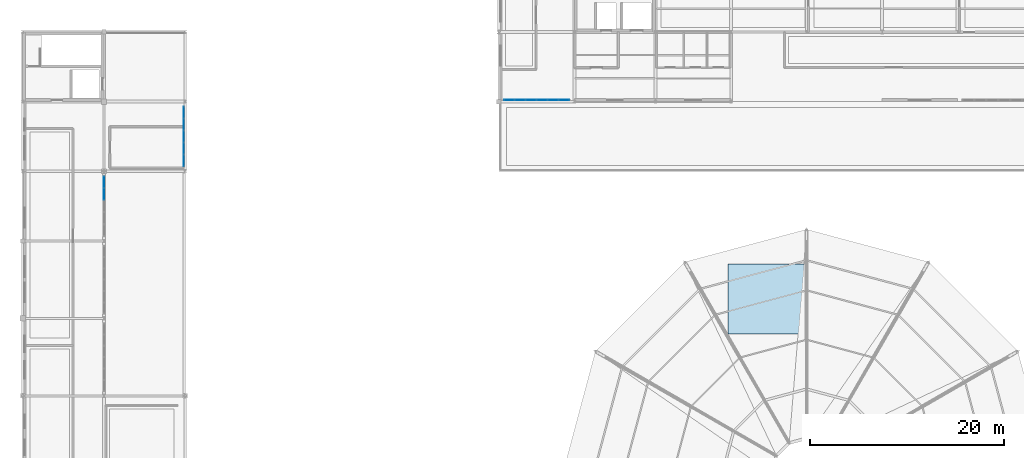
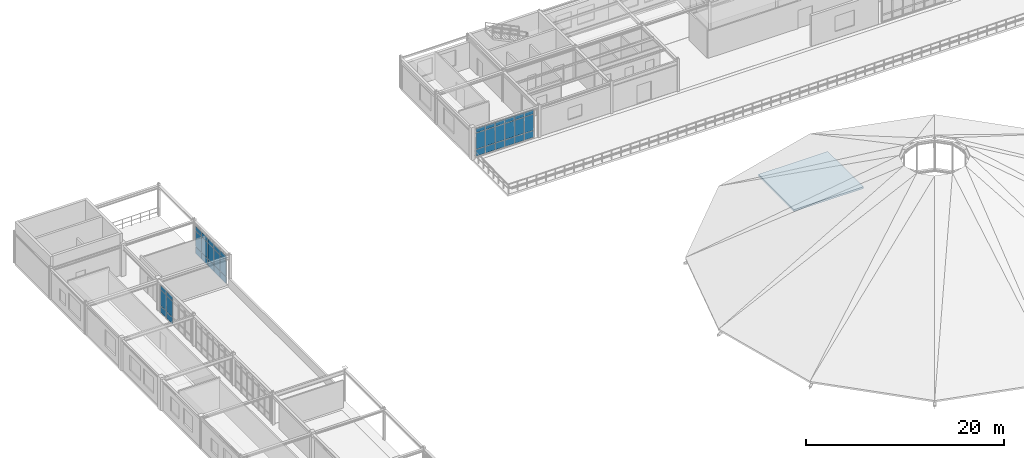
# One storey, part 33 of 58: 39 plates, 1 slab, 3 elements without a shape of their own.
"""IFC4 building model written with IfcOpenShell, lengths in metres."""

from ifc_helpers import new_model, si_unit, derived_unit, direction, frame, origin, origin_2d, place, context, subcontext, project, spatial, polyline, rectangle, outline, extrude, material, layer, layer_set, type_object, element, aggregate, save


model = new_model("IFC4")

# Units and contexts
model_context = context("Model", 3, precision=1e-05, world=origin(), true_north=direction((0.0, 1.0)))
body_context = subcontext(model_context, "Body", "Model", "MODEL_VIEW")
ifc_project = project(units=[si_unit("LENGTHUNIT", "METRE"), si_unit("AREAUNIT", "SQUARE_METRE"), si_unit("VOLUMEUNIT", "CUBIC_METRE"), si_unit("PLANEANGLEUNIT", "RADIAN"), si_unit("MASSUNIT", "GRAM", prefix="KILO"), derived_unit("THERMALTRANSMITTANCEUNIT", [(si_unit("POWERUNIT", "WATT"), 1), (si_unit("AREAUNIT", "SQUARE_METRE"), -1), (si_unit("THERMODYNAMICTEMPERATUREUNIT", "KELVIN"), -1)])], contexts=[model_context])

# Site, building, storey
site_placement = place(None, origin())
site = spatial("IfcSite", under=ifc_project, at=site_placement, CompositionType="ELEMENT")
building_placement = place(site_placement, origin())
building = spatial("IfcBuilding", under=site, at=building_placement, Name="Yasenodar Specialist Clinic", CompositionType="ELEMENT")
storey_placement = place(building_placement, frame((0.0, 0.0, 21.300048828125)))
storey = spatial("IfcBuildingStorey", under=building, at=storey_placement, Name="L05", CompositionType="ELEMENT", Elevation=21.300048828125)

# Curtain wall, plates
ifc_material_1 = material(Name="Bronze Anodized Aluminium and Triple Low-E Glass", Category="aluminium")
ifc_layer_1 = layer(ifc_material_1, 0.202880859375)
ifc_layer_set_1 = layer_set([ifc_layer_1], Name="Bronze Anodized Aluminium and Triple Low-E Glass")
curtain_wall_type_1 = type_object("IfcCurtainWallType", Name="CW-SYS-04", PredefinedType="USERDEFINED", material=ifc_layer_set_1)
curtain_wall_1_placement = place(storey_placement, origin())
curtain_wall_1 = element("IfcCurtainWall", 1, at=curtain_wall_1_placement, inside=storey, type_object=curtain_wall_type_1, Name="L05 Unitised Curtain Wall 141", ObjectType="UNITISED CURTAIN WALL", PredefinedType="USERDEFINED")
ifc_material_2 = material(Name="Triple Low-E Argon Glazing", Category="glass")
ifc_layer_2 = layer(ifc_material_2, 0.033935546875)
ifc_layer_set_2 = layer_set([ifc_layer_2], Name="Triple Low-E Argon Glazing")
plate_type_1 = type_object("IfcPlateType", Name="CW-PAN-2", PredefinedType="CURTAIN_PANEL", material=ifc_layer_set_2)
plate_1_placement = place(storey_placement, frame((16.64990234375, 96.0810546875, 0.059814453125), z_axis=(0.0, 0.0, 1.0), x_axis=(0.0, -1.0, 0.0)))
plate_1 = element("IfcPlate", 2, at=plate_1_placement, type_object=plate_type_1, Name="CW-04 panel 1.1", PredefinedType="CURTAIN_PANEL", context=body_context, shape_type="SweptSolid", body=[
    extrude(rectangle(XDim=1.157958984375, YDim=0.033935546875, at=origin_2d()), origin(), (0.0, 0.0, 1.0), 0.81005859375),
])
plate_2_placement = place(storey_placement, frame((16.64990234375, 96.0810546875, 0.929931640625), z_axis=(0.0, 0.0, 1.0), x_axis=(0.0, -1.0, 0.0)))
plate_2 = element("IfcPlate", 3, at=plate_2_placement, type_object=plate_type_1, Name="CW-04 panel 1.2", PredefinedType="CURTAIN_PANEL", context=body_context, shape_type="SweptSolid", body=[
    extrude(rectangle(XDim=1.157958984375, YDim=0.033935546875, at=origin_2d()), origin(), (0.0, 0.0, 1.0), 1.93798828125),
])
plate_3_placement = place(storey_placement, frame((16.64990234375, 96.0810546875, 2.927734375), z_axis=(0.0, 0.0, 1.0), x_axis=(0.0, -1.0, 0.0)))
plate_3 = element("IfcPlate", 4, at=plate_3_placement, type_object=plate_type_1, Name="CW-04 panel 1.3", PredefinedType="CURTAIN_PANEL", context=body_context, shape_type="SweptSolid", body=[
    extrude(rectangle(XDim=1.157958984375, YDim=0.033935546875, at=origin_2d()), origin(), (0.0, 0.0, 1.0), 0.510009765625),
])
plate_4_placement = place(storey_placement, frame((16.64990234375, 94.847900390625, 0.059814453125), z_axis=(0.0, 0.0, 1.0), x_axis=(0.0, -1.0, 0.0)))
plate_4 = element("IfcPlate", 5, at=plate_4_placement, type_object=plate_type_1, Name="CW-04 panel 2.1", PredefinedType="CURTAIN_PANEL", context=body_context, shape_type="SweptSolid", body=[
    extrude(rectangle(XDim=1.18798828125, YDim=0.033935546875, at=origin_2d()), origin(), (0.0, 0.0, 1.0), 0.81005859375),
])
plate_5_placement = place(storey_placement, frame((16.64990234375, 94.847900390625, 0.929931640625), z_axis=(0.0, 0.0, 1.0), x_axis=(0.0, -1.0, 0.0)))
plate_5 = element("IfcPlate", 6, at=plate_5_placement, type_object=plate_type_1, Name="CW-04 panel 2.2", PredefinedType="CURTAIN_PANEL", context=body_context, shape_type="SweptSolid", body=[
    extrude(rectangle(XDim=1.18798828125, YDim=0.033935546875, at=origin_2d()), origin(), (0.0, 0.0, 1.0), 1.93798828125),
])
plate_6_placement = place(storey_placement, frame((16.64990234375, 94.847900390625, 2.927734375), z_axis=(0.0, 0.0, 1.0), x_axis=(0.0, -1.0, 0.0)))
plate_6 = element("IfcPlate", 7, at=plate_6_placement, type_object=plate_type_1, Name="CW-04 panel 2.3", PredefinedType="CURTAIN_PANEL", context=body_context, shape_type="SweptSolid", body=[
    extrude(rectangle(XDim=1.18798828125, YDim=0.033935546875, at=origin_2d()), origin(), (0.0, 0.0, 1.0), 0.510009765625),
])
plate_7_placement = place(storey_placement, frame((16.64990234375, 93.60009765625, 0.059814453125), z_axis=(0.0, 0.0, 1.0), x_axis=(0.0, -1.0, 0.0)))
plate_7 = element("IfcPlate", 8, at=plate_7_placement, type_object=plate_type_1, Name="CW-04 panel 3.1", PredefinedType="CURTAIN_PANEL", context=body_context, shape_type="SweptSolid", body=[
    extrude(rectangle(XDim=1.18798828125, YDim=0.033935546875, at=origin_2d()), origin(), (0.0, 0.0, 1.0), 0.81005859375),
])
plate_8_placement = place(storey_placement, frame((16.64990234375, 93.60009765625, 0.929931640625), z_axis=(0.0, 0.0, 1.0), x_axis=(0.0, -1.0, 0.0)))
plate_8 = element("IfcPlate", 9, at=plate_8_placement, type_object=plate_type_1, Name="CW-04 panel 3.2", PredefinedType="CURTAIN_PANEL", context=body_context, shape_type="SweptSolid", body=[
    extrude(rectangle(XDim=1.18798828125, YDim=0.033935546875, at=origin_2d()), origin(), (0.0, 0.0, 1.0), 1.93798828125),
])
plate_9_placement = place(storey_placement, frame((16.64990234375, 93.60009765625, 2.927734375), z_axis=(0.0, 0.0, 1.0), x_axis=(0.0, -1.0, 0.0)))
plate_9 = element("IfcPlate", 10, at=plate_9_placement, type_object=plate_type_1, Name="CW-04 panel 3.3", PredefinedType="CURTAIN_PANEL", context=body_context, shape_type="SweptSolid", body=[
    extrude(rectangle(XDim=1.18798828125, YDim=0.033935546875, at=origin_2d()), origin(), (0.0, 0.0, 1.0), 0.510009765625),
])
plate_10_placement = place(storey_placement, frame((16.64990234375, 92.35205078125, 0.059814453125), z_axis=(0.0, 0.0, 1.0), x_axis=(0.0, -1.0, 0.0)))
plate_10 = element("IfcPlate", 11, at=plate_10_placement, type_object=plate_type_1, Name="CW-04 panel 4.1", PredefinedType="CURTAIN_PANEL", context=body_context, shape_type="SweptSolid", body=[
    extrude(rectangle(XDim=1.18798828125, YDim=0.033935546875, at=origin_2d()), origin(), (0.0, 0.0, 1.0), 0.81005859375),
])
plate_11_placement = place(storey_placement, frame((16.64990234375, 92.35205078125, 0.929931640625), z_axis=(0.0, 0.0, 1.0), x_axis=(0.0, -1.0, 0.0)))
plate_11 = element("IfcPlate", 12, at=plate_11_placement, type_object=plate_type_1, Name="CW-04 panel 4.2", PredefinedType="CURTAIN_PANEL", context=body_context, shape_type="SweptSolid", body=[
    extrude(rectangle(XDim=1.18798828125, YDim=0.033935546875, at=origin_2d()), origin(), (0.0, 0.0, 1.0), 1.93798828125),
])
plate_12_placement = place(storey_placement, frame((16.64990234375, 92.35205078125, 2.927734375), z_axis=(0.0, 0.0, 1.0), x_axis=(0.0, -1.0, 0.0)))
plate_12 = element("IfcPlate", 13, at=plate_12_placement, type_object=plate_type_1, Name="CW-04 panel 4.3", PredefinedType="CURTAIN_PANEL", context=body_context, shape_type="SweptSolid", body=[
    extrude(rectangle(XDim=1.18798828125, YDim=0.033935546875, at=origin_2d()), origin(), (0.0, 0.0, 1.0), 0.510009765625),
])
plate_13_placement = place(storey_placement, frame((16.64990234375, 91.118896484375, 0.059814453125), z_axis=(0.0, 0.0, 1.0), x_axis=(0.0, -1.0, 0.0)))
plate_13 = element("IfcPlate", 14, at=plate_13_placement, type_object=plate_type_1, Name="CW-04 panel 5.1", PredefinedType="CURTAIN_PANEL", context=body_context, shape_type="SweptSolid", body=[
    extrude(rectangle(XDim=1.157958984375, YDim=0.033935546875, at=origin_2d()), origin(), (0.0, 0.0, 1.0), 0.81005859375),
])
plate_14_placement = place(storey_placement, frame((16.64990234375, 91.118896484375, 0.929931640625), z_axis=(0.0, 0.0, 1.0), x_axis=(0.0, -1.0, 0.0)))
plate_14 = element("IfcPlate", 15, at=plate_14_placement, type_object=plate_type_1, Name="CW-04 panel 5.2", PredefinedType="CURTAIN_PANEL", context=body_context, shape_type="SweptSolid", body=[
    extrude(rectangle(XDim=1.157958984375, YDim=0.033935546875, at=origin_2d()), origin(), (0.0, 0.0, 1.0), 1.93798828125),
])
plate_15_placement = place(storey_placement, frame((16.64990234375, 91.118896484375, 2.927734375), z_axis=(0.0, 0.0, 1.0), x_axis=(0.0, -1.0, 0.0)))
plate_15 = element("IfcPlate", 16, at=plate_15_placement, type_object=plate_type_1, Name="CW-04 panel 5.3", PredefinedType="CURTAIN_PANEL", context=body_context, shape_type="SweptSolid", body=[
    extrude(rectangle(XDim=1.157958984375, YDim=0.033935546875, at=origin_2d()), origin(), (0.0, 0.0, 1.0), 0.510009765625),
])
aggregate(curtain_wall_1, [plate_1, plate_2, plate_3, plate_4, plate_5, plate_6, plate_7, plate_8, plate_9, plate_10, plate_11, plate_12, plate_13, plate_14, plate_15])

curtain_wall_2_placement = place(storey_placement, origin())
curtain_wall_2 = element("IfcCurtainWall", 17, at=curtain_wall_2_placement, inside=storey, type_object=curtain_wall_type_1, Name="L05 Unitised Curtain Wall 142", ObjectType="UNITISED CURTAIN WALL", PredefinedType="USERDEFINED")
ifc_layer_3 = layer(ifc_material_2, 0.0400390625)
ifc_layer_set_3 = layer_set([ifc_layer_3], Name="Triple Low-E Argon Glazing")
plate_type_2 = type_object("IfcPlateType", Name="CW-PAN-3", PredefinedType="CURTAIN_PANEL", material=ifc_layer_set_3)
plate_16_placement = place(storey_placement, frame((8.39990234375, 88.881103515625, 0.059814453125), z_axis=(0.0, 0.0, 1.0), x_axis=(0.0, -1.0, 0.0)))
plate_16 = element("IfcPlate", 18, at=plate_16_placement, type_object=plate_type_2, Name="CW-04 panel 1.1", PredefinedType="CURTAIN_PANEL", context=body_context, shape_type="SweptSolid", body=[
    extrude(rectangle(XDim=1.157958984375, YDim=0.0400390625, at=origin_2d()), origin(), (0.0, 0.0, 1.0), 0.81005859375),
])
plate_17_placement = place(storey_placement, frame((8.39990234375, 88.881103515625, 0.93017578125), z_axis=(0.0, 0.0, 1.0), x_axis=(0.0, -1.0, 0.0)))
plate_17 = element("IfcPlate", 19, at=plate_17_placement, type_object=plate_type_2, Name="CW-04 panel 1.2", PredefinedType="CURTAIN_PANEL", context=body_context, shape_type="SweptSolid", body=[
    extrude(rectangle(XDim=1.157958984375, YDim=0.0400390625, at=origin_2d()), origin(), (0.0, 0.0, 1.0), 1.927978515625),
])
plate_18_placement = place(storey_placement, frame((8.39990234375, 88.881103515625, 2.91796875), z_axis=(0.0, 0.0, 1.0), x_axis=(0.0, -1.0, 0.0)))
plate_18 = element("IfcPlate", 20, at=plate_18_placement, type_object=plate_type_2, Name="CW-04 panel 1.3", PredefinedType="CURTAIN_PANEL", context=body_context, shape_type="SweptSolid", body=[
    extrude(rectangle(XDim=1.157958984375, YDim=0.0400390625, at=origin_2d()), origin(), (0.0, 0.0, 1.0), 0.510009765625),
])
plate_19_placement = place(storey_placement, frame((8.39990234375, 87.64794921875, 0.059814453125), z_axis=(0.0, 0.0, 1.0), x_axis=(0.0, -1.0, 0.0)))
plate_19 = element("IfcPlate", 21, at=plate_19_placement, type_object=plate_type_2, Name="CW-04 panel 2.1", PredefinedType="CURTAIN_PANEL", context=body_context, shape_type="SweptSolid", body=[
    extrude(rectangle(XDim=1.18798828125, YDim=0.0400390625, at=origin_2d()), origin(), (0.0, 0.0, 1.0), 0.81005859375),
])
plate_20_placement = place(storey_placement, frame((8.39990234375, 87.64794921875, 0.93017578125), z_axis=(0.0, 0.0, 1.0), x_axis=(0.0, -1.0, 0.0)))
plate_20 = element("IfcPlate", 22, at=plate_20_placement, type_object=plate_type_2, Name="CW-04 panel 2.2", PredefinedType="CURTAIN_PANEL", context=body_context, shape_type="SweptSolid", body=[
    extrude(rectangle(XDim=1.18798828125, YDim=0.0400390625, at=origin_2d()), origin(), (0.0, 0.0, 1.0), 1.927978515625),
])
plate_21_placement = place(storey_placement, frame((8.39990234375, 87.64794921875, 2.91796875), z_axis=(0.0, 0.0, 1.0), x_axis=(0.0, -1.0, 0.0)))
plate_21 = element("IfcPlate", 23, at=plate_21_placement, type_object=plate_type_2, Name="CW-04 panel 2.3", PredefinedType="CURTAIN_PANEL", context=body_context, shape_type="SweptSolid", body=[
    extrude(rectangle(XDim=1.18798828125, YDim=0.0400390625, at=origin_2d()), origin(), (0.0, 0.0, 1.0), 0.510009765625),
])
aggregate(curtain_wall_2, [plate_16, plate_17, plate_18, plate_19, plate_20, plate_21])

ifc_layer_4 = layer(ifc_material_1, 0.215087890625)
ifc_layer_set_4 = layer_set([ifc_layer_4], Name="Bronze Anodized Aluminium and Triple Low-E Glass")
curtain_wall_type_2 = type_object("IfcCurtainWallType", Name="CW-SYS-05", PredefinedType="USERDEFINED", material=ifc_layer_set_4)
curtain_wall_3_placement = place(storey_placement, origin())
curtain_wall_3 = element("IfcCurtainWall", 24, at=curtain_wall_3_placement, inside=storey, type_object=curtain_wall_type_2, Name="L05 Unitised Curtain Wall 167", ObjectType="UNITISED CURTAIN WALL", PredefinedType="USERDEFINED")
ifc_layer_5 = layer(ifc_material_2, 0.0458984375)
ifc_layer_set_5 = layer_set([ifc_layer_5], Name="Triple Low-E Argon Glazing")
plate_type_3 = type_object("IfcPlateType", Name="CW-PAN-4", PredefinedType="CURTAIN_PANEL", material=ifc_layer_set_5)
plate_22_placement = place(storey_placement, frame((55.93505859375, 97.3701171875, 0.059814453125), z_axis=(0.0, 0.0, 1.0), x_axis=(-1.0, 0.0, 0.0)))
plate_22 = element("IfcPlate", 25, at=plate_22_placement, type_object=plate_type_3, Name="CW-05 panel 1.1", PredefinedType="CURTAIN_PANEL", context=body_context, shape_type="SweptSolid", body=[
    extrude(rectangle(XDim=1.050048828125, YDim=0.0458984375, at=origin_2d()), origin(), (0.0, 0.0, 1.0), 0.81005859375),
])
plate_23_placement = place(storey_placement, frame((55.93505859375, 97.3701171875, 0.93017578125), z_axis=(0.0, 0.0, 1.0), x_axis=(-1.0, 0.0, 0.0)))
plate_23 = element("IfcPlate", 26, at=plate_23_placement, type_object=plate_type_3, Name="CW-05 panel 1.2", PredefinedType="CURTAIN_PANEL", context=body_context, shape_type="SweptSolid", body=[
    extrude(rectangle(XDim=1.050048828125, YDim=0.0458984375, at=origin_2d()), origin(), (0.0, 0.0, 1.0), 1.968017578125),
])
plate_24_placement = place(storey_placement, frame((55.93505859375, 97.3701171875, 2.9580078125), z_axis=(0.0, 0.0, 1.0), x_axis=(-1.0, 0.0, 0.0)))
plate_24 = element("IfcPlate", 27, at=plate_24_placement, type_object=plate_type_3, Name="CW-05 panel 1.3", PredefinedType="CURTAIN_PANEL", context=body_context, shape_type="SweptSolid", body=[
    extrude(rectangle(XDim=1.050048828125, YDim=0.0458984375, at=origin_2d()), origin(), (0.0, 0.0, 1.0), 0.510009765625),
])
plate_25_placement = place(storey_placement, frame((54.81005859375, 97.3701171875, 0.059814453125), z_axis=(0.0, 0.0, 1.0), x_axis=(-1.0, 0.0, 0.0)))
plate_25 = element("IfcPlate", 28, at=plate_25_placement, type_object=plate_type_3, Name="CW-05 panel 2.1", PredefinedType="CURTAIN_PANEL", context=body_context, shape_type="SweptSolid", body=[
    extrude(rectangle(XDim=1.080078125, YDim=0.0458984375, at=origin_2d()), origin(), (0.0, 0.0, 1.0), 0.81005859375),
])
plate_26_placement = place(storey_placement, frame((54.81005859375, 97.3701171875, 0.93017578125), z_axis=(0.0, 0.0, 1.0), x_axis=(-1.0, 0.0, 0.0)))
plate_26 = element("IfcPlate", 29, at=plate_26_placement, type_object=plate_type_3, Name="CW-05 panel 2.2", PredefinedType="CURTAIN_PANEL", context=body_context, shape_type="SweptSolid", body=[
    extrude(rectangle(XDim=1.080078125, YDim=0.0458984375, at=origin_2d()), origin(), (0.0, 0.0, 1.0), 1.968017578125),
])
plate_27_placement = place(storey_placement, frame((54.81005859375, 97.3701171875, 2.9580078125), z_axis=(0.0, 0.0, 1.0), x_axis=(-1.0, 0.0, 0.0)))
plate_27 = element("IfcPlate", 30, at=plate_27_placement, type_object=plate_type_3, Name="CW-05 panel 2.3", PredefinedType="CURTAIN_PANEL", context=body_context, shape_type="SweptSolid", body=[
    extrude(rectangle(XDim=1.080078125, YDim=0.0458984375, at=origin_2d()), origin(), (0.0, 0.0, 1.0), 0.510009765625),
])
plate_28_placement = place(storey_placement, frame((53.669921875, 97.3701171875, 0.059814453125), z_axis=(0.0, 0.0, 1.0), x_axis=(-1.0, 0.0, 0.0)))
plate_28 = element("IfcPlate", 31, at=plate_28_placement, type_object=plate_type_3, Name="CW-05 panel 3.1", PredefinedType="CURTAIN_PANEL", context=body_context, shape_type="SweptSolid", body=[
    extrude(rectangle(XDim=1.080078125, YDim=0.0458984375, at=origin_2d()), origin(), (0.0, 0.0, 1.0), 0.81005859375),
])
plate_29_placement = place(storey_placement, frame((53.669921875, 97.3701171875, 0.93017578125), z_axis=(0.0, 0.0, 1.0), x_axis=(-1.0, 0.0, 0.0)))
plate_29 = element("IfcPlate", 32, at=plate_29_placement, type_object=plate_type_3, Name="CW-05 panel 3.2", PredefinedType="CURTAIN_PANEL", context=body_context, shape_type="SweptSolid", body=[
    extrude(rectangle(XDim=1.080078125, YDim=0.0458984375, at=origin_2d()), origin(), (0.0, 0.0, 1.0), 1.968017578125),
])
plate_30_placement = place(storey_placement, frame((53.669921875, 97.3701171875, 2.9580078125), z_axis=(0.0, 0.0, 1.0), x_axis=(-1.0, 0.0, 0.0)))
plate_30 = element("IfcPlate", 33, at=plate_30_placement, type_object=plate_type_3, Name="CW-05 panel 3.3", PredefinedType="CURTAIN_PANEL", context=body_context, shape_type="SweptSolid", body=[
    extrude(rectangle(XDim=1.080078125, YDim=0.0458984375, at=origin_2d()), origin(), (0.0, 0.0, 1.0), 0.510009765625),
])
plate_31_placement = place(storey_placement, frame((52.530029296875, 97.3701171875, 0.059814453125), z_axis=(0.0, 0.0, 1.0), x_axis=(-1.0, 0.0, 0.0)))
plate_31 = element("IfcPlate", 34, at=plate_31_placement, type_object=plate_type_3, Name="CW-05 panel 4.1", PredefinedType="CURTAIN_PANEL", context=body_context, shape_type="SweptSolid", body=[
    extrude(rectangle(XDim=1.080078125, YDim=0.0458984375, at=origin_2d()), origin(), (0.0, 0.0, 1.0), 0.81005859375),
])
plate_32_placement = place(storey_placement, frame((52.530029296875, 97.3701171875, 0.93017578125), z_axis=(0.0, 0.0, 1.0), x_axis=(-1.0, 0.0, 0.0)))
plate_32 = element("IfcPlate", 35, at=plate_32_placement, type_object=plate_type_3, Name="CW-05 panel 4.2", PredefinedType="CURTAIN_PANEL", context=body_context, shape_type="SweptSolid", body=[
    extrude(rectangle(XDim=1.080078125, YDim=0.0458984375, at=origin_2d()), origin(), (0.0, 0.0, 1.0), 1.968017578125),
])
plate_33_placement = place(storey_placement, frame((52.530029296875, 97.3701171875, 2.9580078125), z_axis=(0.0, 0.0, 1.0), x_axis=(-1.0, 0.0, 0.0)))
plate_33 = element("IfcPlate", 36, at=plate_33_placement, type_object=plate_type_3, Name="CW-05 panel 4.3", PredefinedType="CURTAIN_PANEL", context=body_context, shape_type="SweptSolid", body=[
    extrude(rectangle(XDim=1.080078125, YDim=0.0458984375, at=origin_2d()), origin(), (0.0, 0.0, 1.0), 0.510009765625),
])
plate_34_placement = place(storey_placement, frame((51.389892578125, 97.3701171875, 0.059814453125), z_axis=(0.0, 0.0, 1.0), x_axis=(-1.0, 0.0, 0.0)))
plate_34 = element("IfcPlate", 37, at=plate_34_placement, type_object=plate_type_3, Name="CW-05 panel 5.1", PredefinedType="CURTAIN_PANEL", context=body_context, shape_type="SweptSolid", body=[
    extrude(rectangle(XDim=1.080078125, YDim=0.0458984375, at=origin_2d()), origin(), (0.0, 0.0, 1.0), 0.81005859375),
])
plate_35_placement = place(storey_placement, frame((51.389892578125, 97.3701171875, 0.93017578125), z_axis=(0.0, 0.0, 1.0), x_axis=(-1.0, 0.0, 0.0)))
plate_35 = element("IfcPlate", 38, at=plate_35_placement, type_object=plate_type_3, Name="CW-05 panel 5.2", PredefinedType="CURTAIN_PANEL", context=body_context, shape_type="SweptSolid", body=[
    extrude(rectangle(XDim=1.080078125, YDim=0.0458984375, at=origin_2d()), origin(), (0.0, 0.0, 1.0), 1.968017578125),
])
plate_36_placement = place(storey_placement, frame((51.389892578125, 97.3701171875, 2.9580078125), z_axis=(0.0, 0.0, 1.0), x_axis=(-1.0, 0.0, 0.0)))
plate_36 = element("IfcPlate", 39, at=plate_36_placement, type_object=plate_type_3, Name="CW-05 panel 5.3", PredefinedType="CURTAIN_PANEL", context=body_context, shape_type="SweptSolid", body=[
    extrude(rectangle(XDim=1.080078125, YDim=0.0458984375, at=origin_2d()), origin(), (0.0, 0.0, 1.0), 0.510009765625),
])
plate_37_placement = place(storey_placement, frame((50.264892578125, 97.3701171875, 0.059814453125), z_axis=(0.0, 0.0, 1.0), x_axis=(-1.0, 0.0, 0.0)))
plate_37 = element("IfcPlate", 40, at=plate_37_placement, type_object=plate_type_3, Name="CW-05 panel 6.1", PredefinedType="CURTAIN_PANEL", context=body_context, shape_type="SweptSolid", body=[
    extrude(rectangle(XDim=1.050048828125, YDim=0.0458984375, at=origin_2d()), origin(), (0.0, 0.0, 1.0), 0.81005859375),
])
plate_38_placement = place(storey_placement, frame((50.264892578125, 97.3701171875, 0.93017578125), z_axis=(0.0, 0.0, 1.0), x_axis=(-1.0, 0.0, 0.0)))
plate_38 = element("IfcPlate", 41, at=plate_38_placement, type_object=plate_type_3, Name="CW-05 panel 6.2", PredefinedType="CURTAIN_PANEL", context=body_context, shape_type="SweptSolid", body=[
    extrude(rectangle(XDim=1.050048828125, YDim=0.0458984375, at=origin_2d()), origin(), (0.0, 0.0, 1.0), 1.968017578125),
])
plate_39_placement = place(storey_placement, frame((50.264892578125, 97.3701171875, 2.9580078125), z_axis=(0.0, 0.0, 1.0), x_axis=(-1.0, 0.0, 0.0)))
plate_39 = element("IfcPlate", 42, at=plate_39_placement, type_object=plate_type_3, Name="CW-05 panel 6.3", PredefinedType="CURTAIN_PANEL", context=body_context, shape_type="SweptSolid", body=[
    extrude(rectangle(XDim=1.050048828125, YDim=0.0458984375, at=origin_2d()), origin(), (0.0, 0.0, 1.0), 0.510009765625),
])
aggregate(curtain_wall_3, [plate_22, plate_23, plate_24, plate_25, plate_26, plate_27, plate_28, plate_29, plate_30, plate_31, plate_32, plate_33, plate_34, plate_35, plate_36, plate_37, plate_38, plate_39])

# Slab
ifc_material_3 = material(Name="Concrete C30/37", Category="concrete")
ifc_layer_6 = layer(ifc_material_3, 0.22509765625)
ifc_layer_set_6 = layer_set([ifc_layer_6], Name="Concrete C30/37")
slab_type = type_object("IfcSlabType", Name="SLB-ROOF-225", PredefinedType="ROOF", material=ifc_layer_set_6)
slab_placement = place(storey_placement, frame((0.0, 0.0, -0.22509765625)))
element("IfcSlab", 43, at=slab_placement, inside=storey, type_object=slab_type, Name="Core C3 Overrun Roof Slab", PredefinedType="ROOF", context=body_context, shape_type="SweptSolid", body=[
    extrude(outline(polyline([(72.89990234375, 73.199951171875), (81.0, 73.199951171875), (81.0, 80.39990234375), (72.89990234375, 80.39990234375), (72.89990234375, 73.199951171875)])), origin(), (0.0, 0.0, 1.0), 0.22509765625),
])

save(model, "model.ifc")
